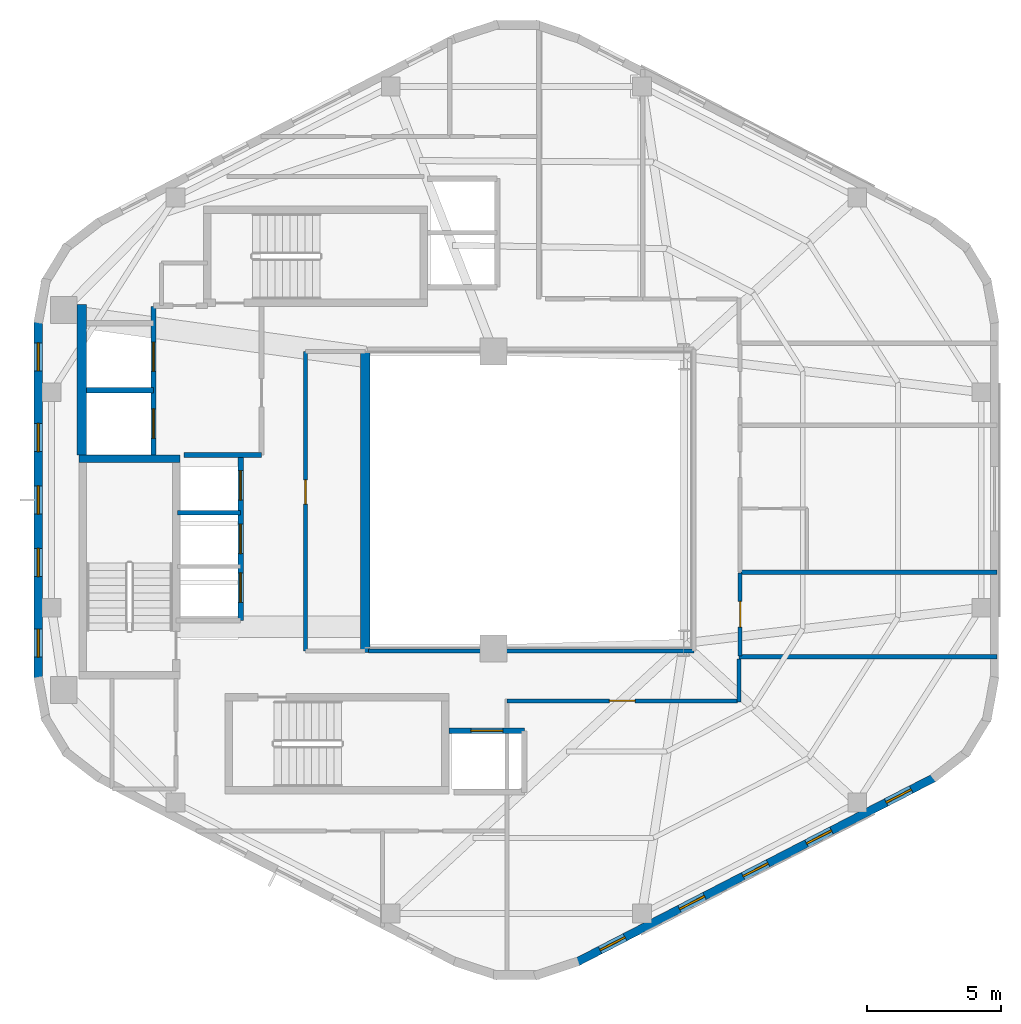
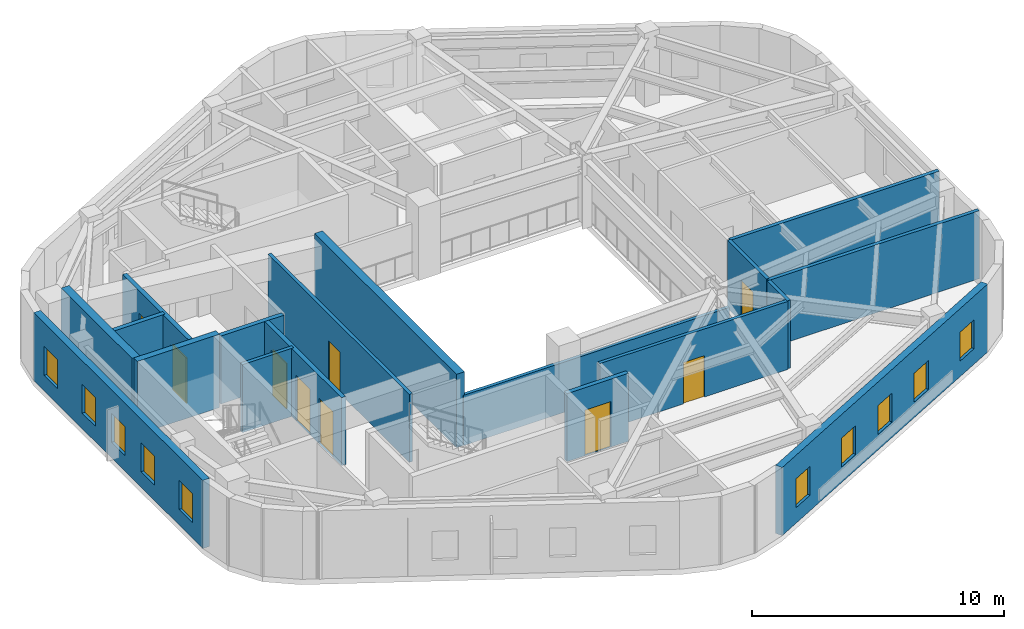
# One storey, part 3 of 7: 18 walls, 10 windows, 9 doors, 19 openings.
"""IFC4 building model written with IfcOpenShell, lengths in metres."""

import ifcopenshell
import ifcopenshell.guid

model = None  # the IFC model being written
_history = None  # IfcOwnerHistory: only IFC2X3 demands one
_inside = {}  # id of a spatial element -> (the spatial element, [elements in it])
_under = {}  # id of a project, library or spatial element -> (it, [spatial elements below it])
_declared = {}  # id of a project -> (the project, [libraries it declares])
_typed = {}  # id of a type object -> (the type object, [elements of that type])
_made_of = {}  # id of a material, layer set ... -> (it, [elements and type objects made of it])


def new_model(schema):
    """Start an empty IFC model of exactly this schema.

    Asked for "IFC4X3", IfcOpenShell would pick the latest addendum, in which some entities
    have other attributes; the version numbers below select the first issue.
    IFC2X3 requires an IfcOwnerHistory on every rooted entity: one is made here for all.
    """
    global model, _history
    if schema == "IFC4X3":
        model = ifcopenshell.file(schema_version=(4, 3, 0, 0))
    else:
        model = ifcopenshell.file(schema=schema)
    _inside.clear()
    _under.clear()
    _declared.clear()
    _typed.clear()
    _made_of.clear()
    _history = None
    if model.schema == "IFC2X3":
        org = make("IfcOrganization", Name="unknown")
        user = make(
            "IfcPersonAndOrganization",
            ThePerson=make("IfcPerson", FamilyName="unknown"),
            TheOrganization=org,
        )
        app = make(
            "IfcApplication",
            ApplicationDeveloper=org,
            Version="unknown",
            ApplicationFullName="unknown",
            ApplicationIdentifier="unknown",
        )
        _history = make(
            "IfcOwnerHistory",
            OwningUser=user,
            OwningApplication=app,
            ChangeAction="ADDED",
            CreationDate=0,
        )
    return model


def make(cls, **values):
    """One entity of the class cls with the attributes given. An attribute that is None is left unset."""
    return model.create_entity(
        cls, **{name: value for name, value in values.items() if value is not None}
    )


def rooted(cls, **values):
    """An entity with a GlobalId (a new one), such as an element, a storey or a relation."""
    return make(cls, GlobalId=ifcopenshell.guid.new(), OwnerHistory=_history, **values)


def si_unit(unit_type, name, prefix=None):
    """IfcSIUnit, for example si_unit("LENGTHUNIT", "METRE", prefix="MILLI")."""
    return make("IfcSIUnit", UnitType=unit_type, Prefix=prefix, Name=name)


def assignment(units):
    """IfcUnitAssignment: the units of a project."""
    return None if units is None else make("IfcUnitAssignment", Units=units)


def point(xyz):
    """IfcCartesianPoint."""
    return None if xyz is None else make("IfcCartesianPoint", Coordinates=xyz)


def direction(xyz):
    """IfcDirection."""
    return None if xyz is None else make("IfcDirection", DirectionRatios=xyz)


def frame(location, z_axis=None, x_axis=None):
    """IfcAxis2Placement3D, a coordinate frame: its origin and axes. An axis left out is left unset."""
    return make(
        "IfcAxis2Placement3D",
        Location=point(location),
        Axis=direction(z_axis),
        RefDirection=direction(x_axis),
    )


def frame_2d(location, x_axis=None):
    """IfcAxis2Placement2D, a coordinate frame in the plane: its origin and x axis."""
    return make(
        "IfcAxis2Placement2D", Location=point(location), RefDirection=direction(x_axis)
    )


def origin():
    """The frame at (0, 0, 0) with its axes left unset."""
    return frame((0.0, 0.0, 0.0))


def place(relative_to, where):
    """IfcLocalPlacement: puts the frame where relative to a parent placement (None: the world)."""
    return make(
        "IfcLocalPlacement", PlacementRelTo=relative_to, RelativePlacement=where
    )


def context(
    kind, dimensions, precision=None, world=None, true_north=None, identifier=None
):
    """IfcGeometricRepresentationContext, for example the 3D "Model" context."""
    return make(
        "IfcGeometricRepresentationContext",
        ContextIdentifier=identifier,
        ContextType=kind,
        CoordinateSpaceDimension=dimensions,
        Precision=precision,
        WorldCoordinateSystem=world,
        TrueNorth=true_north,
    )


def subcontext(parent, identifier, kind, view, scale=None):
    """IfcGeometricRepresentationSubContext, for example "Body" below "Model"."""
    return make(
        "IfcGeometricRepresentationSubContext",
        ContextIdentifier=identifier,
        ContextType=kind,
        ParentContext=parent,
        TargetScale=scale,
        TargetView=view,
    )


def project(units=None, contexts=None):
    """IfcProject with its units and contexts."""
    return rooted(
        "IfcProject",
        Name="project",
        RepresentationContexts=contexts,
        UnitsInContext=assignment(units),
    )


def spatial(cls, under=None, at=None, **own):
    """A site, building, storey or space (cls), placed at a placement, below another one or the project."""
    s = rooted(cls, ObjectPlacement=at, **own)
    if under is not None:
        _under.setdefault(under.id(), (under, []))[1].append(s)
    return s


def profile(cls, at=None, kind="AREA", **sizes):
    """A parametric profile (cls). Its sizes go by their IFC names, for example OverallWidth=200.0."""
    return make(cls, ProfileType=kind, Position=at, **sizes)


def rectangle(**sizes):
    """IfcRectangleProfileDef."""
    return profile("IfcRectangleProfileDef", **sizes)


def extrude(swept, where, along, depth):
    """IfcExtrudedAreaSolid: the profile swept, set in the frame where, extruded along a direction by depth."""
    return make(
        "IfcExtrudedAreaSolid",
        SweptArea=swept,
        Position=where,
        ExtrudedDirection=direction(along),
        Depth=depth,
    )


def shape(context_of_items, identifier, shape_type, items):
    """IfcShapeRepresentation: the items that make up one representation, for example the "Body"."""
    return make(
        "IfcShapeRepresentation",
        ContextOfItems=context_of_items,
        RepresentationIdentifier=identifier,
        RepresentationType=shape_type,
        Items=items,
    )


def material(Name=None, Category=None):
    """IfcMaterial."""
    return make("IfcMaterial", Name=Name, Category=Category)


def layer(
    of_material, thickness, ventilated=None, Name=None, Category=None, Priority=None
):
    """IfcMaterialLayer: one layer of a wall or slab, of a material (None: an air gap)."""
    return make(
        "IfcMaterialLayer",
        Material=of_material,
        LayerThickness=thickness,
        IsVentilated=ventilated,
        Name=Name,
        Category=Category,
        Priority=Priority,
    )


def layer_set(layers, Name=None):
    """IfcMaterialLayerSet."""
    return make("IfcMaterialLayerSet", MaterialLayers=layers, LayerSetName=Name)


def made_of(thing, what):
    """Note that an element or type object is made of a material, layer set ...; save() writes the relation."""
    if what is not None:
        _made_of.setdefault(what.id(), (what, []))[1].append(thing)
    return thing


def type_object(cls, material=None, **own):
    """A type object (cls), such as IfcWallType, which elements share."""
    return made_of(rooted(cls, **own), material)


def element(
    cls,
    number,
    at=None,
    inside=None,
    cuts=None,
    type_object=None,
    material=None,
    context=None,
    identifier="Body",
    shape_type=None,
    held_by="IfcProductDefinitionShape",
    body=None,
    shapes=None,
    **own,
):
    """One element of the class cls, such as IfcWall. Its Tag is "e" and its number.

    at: its placement. inside: the storey or other place that contains it. cuts: it is an
    opening in that element (IfcRelVoidsElement). A single representation is given by context,
    identifier, shape_type and body (its items); several are given by shapes. held_by: the class
    of the entity that holds the representations. save() writes the other relations.
    """
    e = rooted(cls, Tag="e%d" % number, ObjectPlacement=at, **own)
    if body is not None:
        shapes = [shape(context, identifier, shape_type, body)]
    if shapes is not None:
        e.Representation = make(held_by, Representations=shapes)
    if inside is not None:
        _inside.setdefault(inside.id(), (inside, []))[1].append(e)
    if cuts is not None:
        rooted(
            "IfcRelVoidsElement", RelatingBuildingElement=cuts, RelatedOpeningElement=e
        )
    if type_object is not None:
        _typed.setdefault(type_object.id(), (type_object, []))[1].append(e)
    return made_of(e, material)


def fill(opening, filler):
    """IfcRelFillsElement: the door or window that sits in an opening."""
    return rooted(
        "IfcRelFillsElement",
        RelatingOpeningElement=opening,
        RelatedBuildingElement=filler,
    )


def aggregate(whole, parts):
    """IfcRelAggregates: a whole, such as a stair, and the parts it consists of."""
    return rooted("IfcRelAggregates", RelatingObject=whole, RelatedObjects=parts)


def save(model, path):
    """Write the relations noted so far, then the file.

    IfcRelAggregates (storeys below a building ...), IfcRelContainedInSpatialStructure (elements
    in a storey), IfcRelDefinesByType, IfcRelAssociatesMaterial and IfcRelDeclares: one each for
    every whole, place, type object, material and project.
    """
    for whole, parts in _under.values():
        aggregate(whole, parts)
    for where, things in _inside.values():
        rooted(
            "IfcRelContainedInSpatialStructure",
            RelatedElements=things,
            RelatingStructure=where,
        )
    for kind, things in _typed.values():
        rooted("IfcRelDefinesByType", RelatedObjects=things, RelatingType=kind)
    for what, things in _made_of.values():
        rooted("IfcRelAssociatesMaterial", RelatedObjects=things, RelatingMaterial=what)
    for by, libraries in _declared.values():
        rooted("IfcRelDeclares", RelatingContext=by, RelatedDefinitions=libraries)
    model.write(path)


model = new_model("IFC4")

# Units and contexts
model_context = context("Model", 3, precision=1e-05, world=origin(), true_north=direction((0.0, 1.0)))
body_context = subcontext(model_context, "Body", "Model", "MODEL_VIEW")
ifc_project = project(units=[si_unit("LENGTHUNIT", "METRE"), si_unit("AREAUNIT", "SQUARE_METRE"), si_unit("VOLUMEUNIT", "CUBIC_METRE"), si_unit("PLANEANGLEUNIT", "RADIAN"), si_unit("MASSUNIT", "GRAM", prefix="KILO"), si_unit("THERMODYNAMICTEMPERATUREUNIT", "KELVIN"), si_unit("POWERUNIT", "WATT")], contexts=[model_context])

# Site, building, storey
site_placement = place(None, origin())
site = spatial("IfcSite", under=ifc_project, at=site_placement, CompositionType="ELEMENT")
building_placement = place(site_placement, origin())
building = spatial("IfcBuilding", under=site, at=building_placement, Name="Skarre Station Tower", CompositionType="ELEMENT")
storey_placement = place(building_placement, frame((0.0, 0.0, 263.199951171875)))
storey = spatial("IfcBuildingStorey", under=building, at=storey_placement, Name="L72", CompositionType="ELEMENT", Elevation=263.199951171875)

# Wall, opening, door
ifc_material_1 = material(Name="Acoustic Steel-Stud Gypsum Partition", Category="steel")
ifc_layer_1 = layer(ifc_material_1, 0.14990234375, Name="Acoustic Steel-Stud Gypsum Partition")
ifc_layer_set_1 = layer_set([ifc_layer_1], Name="Acoustic Steel-Stud Gypsum Partition")
wall_type_1 = type_object("IfcWallType", Name="Fire-Rated Corridor Acoustic Partition 150", PredefinedType="PARTITIONING", material=ifc_layer_set_1)
wall_1_placement = place(storey_placement, frame((25.320068359375, 29.550048828125, 0.0), z_axis=(0.0, 0.0, 1.0), x_axis=(0.0, -1.0, 0.0)))
wall_1 = element("IfcWall", 1, at=wall_1_placement, inside=storey, type_object=wall_type_1, Name="L72 Interior Partition WL-PT-L72-RC2-W1", PredefinedType="PARTITIONING", context=body_context, shape_type="SweptSolid", body=[
    extrude(rectangle(XDim=11.18994140625, YDim=0.14990234375, at=frame_2d((5.594970703125, 0.0))), origin(), (0.0, 0.0, 1.0), 3.2900390625),
])
opening_1_placement = place(wall_1_placement, frame((4.800048828125, 0.0, 0.0)))
opening_1 = element("IfcOpeningElement", 2, at=opening_1_placement, cuts=wall_1, Name="Opening DR-SVC90", PredefinedType="OPENING", context=body_context, shape_type="SweptSolid", body=[
    extrude(rectangle(XDim=0.89990234375, YDim=2.0, at=frame_2d((0.449951171875, 1.0))), frame((0.0, 0.0849609375, 0.0), z_axis=(0.0, -1.0, 0.0), x_axis=(1.0, 0.0, 0.0)), (0.0, 0.0, 1.0), 0.169921875),
])
ifc_material_2 = material(Name="Powder-Coated Hollow-Metal Acoustic Fire Leaf", Category="steel")
door_type_1 = type_object("IfcDoorType", Name="Service & Riser Fire Door FD60 900x2100", OperationType="SINGLE_SWING_LEFT", PredefinedType="DOOR", material=ifc_material_2)
door_1_placement = place(opening_1_placement, origin())
door_1 = element("IfcDoor", 3, at=door_1_placement, inside=storey, type_object=door_type_1, Name="L72 Wine Pantry Door", OperationType="SINGLE_SWING_LEFT", OverallHeight=2.0, OverallWidth=0.89990234375, PredefinedType="DOOR", context=body_context, shape_type="SweptSolid", body=[
    extrude(rectangle(XDim=0.89990234375, YDim=2.0, at=frame_2d((0.449951171875, 1.0))), frame((0.0, 0.02490234375, 0.0), z_axis=(0.0, -1.0, 0.0), x_axis=(1.0, 0.0, 0.0)), (0.0, 0.0, 1.0), 0.050048828125),
])
fill(opening_1, door_1)

# Wall
wall_2_placement = place(storey_placement, frame((27.675048828125, 18.360107421875, 0.0), z_axis=(0.0, 0.0, 1.0), x_axis=(1.0, 0.0, 0.0)))
element("IfcWall", 4, at=wall_2_placement, inside=storey, type_object=wall_type_1, Name="L72 Interior Partition WL-PT-L72-ATRW-S", PredefinedType="PARTITIONING", context=body_context, shape_type="SweptSolid", body=[
    extrude(rectangle(XDim=12.1650390625, YDim=0.14990234375, at=frame_2d((6.08251953125, 0.0))), origin(), (0.0, 0.0, 1.0), 2.43115234375),
])

# Wall, opening, door
wall_3_placement = place(storey_placement, frame((41.56005859375, 18.179931640625, 0.0), z_axis=(0.0, 0.0, 1.0), x_axis=(0.0, 1.0, 0.0)))
wall_3 = element("IfcWall", 5, at=wall_3_placement, inside=storey, type_object=wall_type_1, Name="L72 Interior Partition WL-PT-L72-EW1-CW", PredefinedType="PARTITIONING", context=body_context, shape_type="SweptSolid", body=[
    extrude(rectangle(XDim=3.10205078125, YDim=0.14990234375, at=frame_2d((1.551025390625, 0.0))), origin(), (0.0, 0.0, 1.0), 3.2900390625),
])
opening_2_placement = place(wall_3_placement, frame((1.071044921875, 0.0, 0.0)))
opening_2 = element("IfcOpeningElement", 6, at=opening_2_placement, cuts=wall_3, Name="Opening DR-FD60", PredefinedType="OPENING", context=body_context, shape_type="SweptSolid", body=[
    extrude(rectangle(XDim=0.9599609375, YDim=2.0, at=frame_2d((0.47998046875, 1.0))), frame((0.0, 0.0849609375, 0.0), z_axis=(0.0, -1.0, 0.0), x_axis=(1.0, 0.0, 0.0)), (0.0, 0.0, 1.0), 0.169921875),
])
ifc_material_3 = material(Name="Nordic White-Oak Veneer Solid-Core Fire Leaf", Category="wood")
door_type_2 = type_object("IfcDoorType", Name="Corridor Suite Entry Fire Door FD60 960x2150", OperationType="SINGLE_SWING_LEFT", PredefinedType="DOOR", material=ifc_material_3)
door_2_placement = place(opening_2_placement, origin())
door_2 = element("IfcDoor", 7, at=door_2_placement, inside=storey, type_object=door_type_2, Name="L72 EW1 Entry Door", OperationType="SINGLE_SWING_LEFT", OverallHeight=2.0, OverallWidth=0.9599609375, PredefinedType="DOOR", context=body_context, shape_type="SweptSolid", body=[
    extrude(rectangle(XDim=0.9599609375, YDim=2.0, at=frame_2d((0.47998046875, 1.0))), frame((0.0, 0.02490234375, 0.0), z_axis=(0.0, -1.0, 0.0), x_axis=(1.0, 0.0, 0.0)), (0.0, 0.0, 1.0), 0.050048828125),
])
fill(opening_2, door_2)

# Wall
wall_4_placement = place(storey_placement, frame((41.52001953125, 16.4599609375, 0.0), z_axis=(0.0, 0.0, 1.0), x_axis=(0.0, 1.0, 0.0)))
element("IfcWall", 8, at=wall_4_placement, inside=storey, type_object=wall_type_1, Name="L72 Interior Partition WL-PT-L72-CORR-SER", PredefinedType="PARTITIONING", context=body_context, shape_type="SweptSolid", body=[
    extrude(rectangle(XDim=1.60205078125, YDim=0.14990234375, at=frame_2d((0.801025390625, 0.0))), origin(), (0.0, 0.0, 1.0), 3.2900390625),
])

# Wall, opening, door
wall_5_placement = place(storey_placement, frame((32.85009765625, 16.5, 0.0), z_axis=(0.0, 0.0, 1.0), x_axis=(1.0, 0.0, 0.0)))
wall_5 = element("IfcWall", 9, at=wall_5_placement, inside=storey, type_object=wall_type_1, Name="L72 Interior Partition WL-PT-L72-SW1-CW", PredefinedType="PARTITIONING", context=body_context, shape_type="SweptSolid", body=[
    extrude(rectangle(XDim=8.60986328125, YDim=0.14990234375, at=frame_2d((4.304931640625, 0.0))), origin(), (0.0, 0.0, 1.0), 3.2900390625),
])
opening_3_placement = place(wall_5_placement, frame((3.824951171875, 0.0, 0.0)))
opening_3 = element("IfcOpeningElement", 10, at=opening_3_placement, cuts=wall_5, Name="Opening DR-FD60", PredefinedType="OPENING", context=body_context, shape_type="SweptSolid", body=[
    extrude(rectangle(XDim=0.9599609375, YDim=2.0, at=frame_2d((0.47998046875, 1.0))), frame((0.0, 0.0849609375, 0.0), z_axis=(0.0, -1.0, 0.0), x_axis=(1.0, 0.0, 0.0)), (0.0, 0.0, 1.0), 0.169921875),
])
door_3_placement = place(opening_3_placement, origin())
door_3 = element("IfcDoor", 11, at=door_3_placement, inside=storey, type_object=door_type_2, Name="L72 SW1 Entry Door", OperationType="SINGLE_SWING_LEFT", OverallHeight=2.0, OverallWidth=0.9599609375, PredefinedType="DOOR", context=body_context, shape_type="SweptSolid", body=[
    extrude(rectangle(XDim=0.9599609375, YDim=2.0, at=frame_2d((0.47998046875, 1.0))), frame((0.0, 0.02490234375, 0.0), z_axis=(0.0, -1.0, 0.0), x_axis=(1.0, 0.0, 0.0)), (0.0, 0.0, 1.0), 0.050048828125),
])
fill(opening_3, door_3)

# Wall, openings, windows
ifc_material_4 = material(Name="Precast concrete C45/55", Category="concrete")
ifc_layer_2 = layer(ifc_material_4, 0.31005859375, Name="Precast concrete C45/55")
ifc_layer_set_2 = layer_set([ifc_layer_2], Name="Precast concrete C45/55")
wall_type_2 = type_object("IfcWallType", Name="Nordic Upper-Zone Precast Facet Wall 310", PredefinedType="STANDARD", material=ifc_layer_set_2)
wall_6_placement = place(storey_placement, frame((15.342041015625, 17.298095703125, 0.0), z_axis=(0.0, 0.0, 1.0), x_axis=(0.0, 1.0, 0.0)))
wall_6 = element("IfcWall", 12, at=wall_6_placement, inside=storey, type_object=wall_type_2, Name="L72 Facet 2 Nordic Precast Masonry Wall", PredefinedType="STANDARD", context=body_context, shape_type="SweptSolid", body=[
    extrude(rectangle(XDim=13.40380859375, YDim=0.31005859375, at=frame_2d((6.701904296875, 0.0))), origin(), (0.0, 0.0, 1.0), 3.2900390625),
])
opening_4_placement = place(wall_6_placement, frame((0.8310546875, 0.0, 0.75)))
opening_4 = element("IfcOpeningElement", 13, at=opening_4_placement, cuts=wall_6, Name="Opening WN-SLT", PredefinedType="OPENING", context=body_context, shape_type="SweptSolid", body=[
    extrude(rectangle(XDim=1.050048828125, YDim=1.39990234375, at=frame_2d((0.52490234375, 0.699951171875))), frame((0.0, 0.1650390625, 0.0), z_axis=(0.0, -1.0, 0.0), x_axis=(1.0, 0.0, 0.0)), (0.0, 0.0, 1.0), 0.330078125),
])
opening_5_placement = place(wall_6_placement, frame((3.843017578125, 0.0, 0.75)))
opening_5 = element("IfcOpeningElement", 14, at=opening_5_placement, cuts=wall_6, Name="Opening WN-SLT", PredefinedType="OPENING", context=body_context, shape_type="SweptSolid", body=[
    extrude(rectangle(XDim=1.050048828125, YDim=1.39990234375, at=frame_2d((0.52490234375, 0.699951171875))), frame((0.0, 0.1650390625, 0.0), z_axis=(0.0, -1.0, 0.0), x_axis=(1.0, 0.0, 0.0)), (0.0, 0.0, 1.0), 0.330078125),
])
opening_6_placement = place(wall_6_placement, frame((6.177001953125, 0.0, 0.75)))
opening_6 = element("IfcOpeningElement", 15, at=opening_6_placement, cuts=wall_6, Name="Opening WN-SLT", PredefinedType="OPENING", context=body_context, shape_type="SweptSolid", body=[
    extrude(rectangle(XDim=1.050048828125, YDim=1.39990234375, at=frame_2d((0.52490234375, 0.699951171875))), frame((0.0, 0.1650390625, 0.0), z_axis=(0.0, -1.0, 0.0), x_axis=(1.0, 0.0, 0.0)), (0.0, 0.0, 1.0), 0.330078125),
])
opening_7_placement = place(wall_6_placement, frame((8.510986328125, 0.0, 0.75)))
opening_7 = element("IfcOpeningElement", 16, at=opening_7_placement, cuts=wall_6, Name="Opening WN-SLT", PredefinedType="OPENING", context=body_context, shape_type="SweptSolid", body=[
    extrude(rectangle(XDim=1.050048828125, YDim=1.39990234375, at=frame_2d((0.52490234375, 0.699951171875))), frame((0.0, 0.1650390625, 0.0), z_axis=(0.0, -1.0, 0.0), x_axis=(1.0, 0.0, 0.0)), (0.0, 0.0, 1.0), 0.330078125),
])
opening_8_placement = place(wall_6_placement, frame((11.52392578125, 0.0, 0.75)))
opening_8 = element("IfcOpeningElement", 17, at=opening_8_placement, cuts=wall_6, Name="Opening WN-SLT", PredefinedType="OPENING", context=body_context, shape_type="SweptSolid", body=[
    extrude(rectangle(XDim=1.050048828125, YDim=1.39990234375, at=frame_2d((0.52490234375, 0.699951171875))), frame((0.0, 0.1650390625, 0.0), z_axis=(0.0, -1.0, 0.0), x_axis=(1.0, 0.0, 0.0)), (0.0, 0.0, 1.0), 0.330078125),
])
ifc_material_5 = material(Name="Low-Iron Triple Glazing with Bronze Anodized Frame", Category="glass")
window_type = type_object("IfcWindowType", Name="Nordic Corner Slot Window 1050x1400", PartitioningType="SINGLE_PANEL", PredefinedType="WINDOW", material=ifc_material_5)
window_1_placement = place(opening_4_placement, origin())
window_1 = element("IfcWindow", 18, at=window_1_placement, inside=storey, type_object=window_type, Name="L72 Facade Window WL-FAC-L72-F2-1", OverallHeight=1.39990234375, OverallWidth=1.050048828125, PartitioningType="SINGLE_PANEL", PredefinedType="WINDOW", context=body_context, shape_type="SweptSolid", body=[
    extrude(rectangle(XDim=1.050048828125, YDim=1.39990234375, at=frame_2d((0.52490234375, 0.699951171875))), frame((0.0, 0.030029296875, 0.0), z_axis=(0.0, -1.0, 0.0), x_axis=(1.0, 0.0, 0.0)), (0.0, 0.0, 1.0), 0.06005859375),
])
fill(opening_4, window_1)
window_2_placement = place(opening_5_placement, origin())
window_2 = element("IfcWindow", 19, at=window_2_placement, inside=storey, type_object=window_type, Name="L72 Facade Window WL-FAC-L72-F2-2", OverallHeight=1.39990234375, OverallWidth=1.050048828125, PartitioningType="SINGLE_PANEL", PredefinedType="WINDOW", context=body_context, shape_type="SweptSolid", body=[
    extrude(rectangle(XDim=1.050048828125, YDim=1.39990234375, at=frame_2d((0.52490234375, 0.699951171875))), frame((0.0, 0.030029296875, 0.0), z_axis=(0.0, -1.0, 0.0), x_axis=(1.0, 0.0, 0.0)), (0.0, 0.0, 1.0), 0.06005859375),
])
fill(opening_5, window_2)
window_3_placement = place(opening_6_placement, origin())
window_3 = element("IfcWindow", 20, at=window_3_placement, inside=storey, type_object=window_type, Name="L72 Facade Window WL-FAC-L72-F2-3", OverallHeight=1.39990234375, OverallWidth=1.050048828125, PartitioningType="SINGLE_PANEL", PredefinedType="WINDOW", context=body_context, shape_type="SweptSolid", body=[
    extrude(rectangle(XDim=1.050048828125, YDim=1.39990234375, at=frame_2d((0.52490234375, 0.699951171875))), frame((0.0, 0.030029296875, 0.0), z_axis=(0.0, -1.0, 0.0), x_axis=(1.0, 0.0, 0.0)), (0.0, 0.0, 1.0), 0.06005859375),
])
fill(opening_6, window_3)
window_4_placement = place(opening_7_placement, origin())
window_4 = element("IfcWindow", 21, at=window_4_placement, inside=storey, type_object=window_type, Name="L72 Facade Window WL-FAC-L72-F2-4", OverallHeight=1.39990234375, OverallWidth=1.050048828125, PartitioningType="SINGLE_PANEL", PredefinedType="WINDOW", context=body_context, shape_type="SweptSolid", body=[
    extrude(rectangle(XDim=1.050048828125, YDim=1.39990234375, at=frame_2d((0.52490234375, 0.699951171875))), frame((0.0, 0.030029296875, 0.0), z_axis=(0.0, -1.0, 0.0), x_axis=(1.0, 0.0, 0.0)), (0.0, 0.0, 1.0), 0.06005859375),
])
fill(opening_7, window_4)
window_5_placement = place(opening_8_placement, origin())
window_5 = element("IfcWindow", 22, at=window_5_placement, inside=storey, type_object=window_type, Name="L72 Facade Window WL-FAC-L72-F2-5", OverallHeight=1.39990234375, OverallWidth=1.050048828125, PartitioningType="SINGLE_PANEL", PredefinedType="WINDOW", context=body_context, shape_type="SweptSolid", body=[
    extrude(rectangle(XDim=1.050048828125, YDim=1.39990234375, at=frame_2d((0.52490234375, 0.699951171875))), frame((0.0, 0.030029296875, 0.0), z_axis=(0.0, -1.0, 0.0), x_axis=(1.0, 0.0, 0.0)), (0.0, 0.0, 1.0), 0.06005859375),
])
fill(opening_8, window_5)

wall_7_placement = place(storey_placement, frame((48.833984375, 13.64599609375, 0.0), z_axis=(0.0, 0.0, 1.0), x_axis=(-0.888581481622, -0.458718814218, 0.0)))
wall_7 = element("IfcWall", 23, at=wall_7_placement, inside=storey, type_object=wall_type_2, Name="L72 Facet 4 Nordic Precast Masonry Wall", PredefinedType="STANDARD", context=body_context, shape_type="SweptSolid", body=[
    extrude(rectangle(XDim=15.076904296875, YDim=0.31005859375, at=frame_2d((7.53857421875, 0.0))), origin(), (0.0, 0.0, 1.0), 3.2900390625),
])
opening_9_placement = place(wall_7_placement, frame((0.998046875, 0.0, 0.75)))
opening_9 = element("IfcOpeningElement", 24, at=opening_9_placement, cuts=wall_7, Name="Opening WN-SLT", PredefinedType="OPENING", context=body_context, shape_type="SweptSolid", body=[
    extrude(rectangle(XDim=1.050048828125, YDim=1.39990234375, at=frame_2d((0.52490234375, 0.699951171875))), frame((0.0, 0.1650390625, 0.0), z_axis=(0.0, -1.0, 0.0), x_axis=(1.0, 0.0, 0.0)), (0.0, 0.0, 1.0), 0.330078125),
])
opening_10_placement = place(wall_7_placement, frame((4.344970703125, 0.0, 0.75)))
opening_10 = element("IfcOpeningElement", 25, at=opening_10_placement, cuts=wall_7, Name="Opening WN-SLT", PredefinedType="OPENING", context=body_context, shape_type="SweptSolid", body=[
    extrude(rectangle(XDim=1.050048828125, YDim=1.39990234375, at=frame_2d((0.52490234375, 0.699951171875))), frame((0.0, 0.1650390625, 0.0), z_axis=(0.0, -1.0, 0.0), x_axis=(1.0, 0.0, 0.0)), (0.0, 0.0, 1.0), 0.330078125),
])
opening_11_placement = place(wall_7_placement, frame((7.013916015625, 0.0, 0.75)))
opening_11 = element("IfcOpeningElement", 26, at=opening_11_placement, cuts=wall_7, Name="Opening WN-SLT", PredefinedType="OPENING", context=body_context, shape_type="SweptSolid", body=[
    extrude(rectangle(XDim=1.050048828125, YDim=1.39990234375, at=frame_2d((0.52490234375, 0.699951171875))), frame((0.0, 0.1650390625, 0.0), z_axis=(0.0, -1.0, 0.0), x_axis=(1.0, 0.0, 0.0)), (0.0, 0.0, 1.0), 0.330078125),
])
opening_12_placement = place(wall_7_placement, frame((9.68310546875, 0.0, 0.75)))
opening_12 = element("IfcOpeningElement", 27, at=opening_12_placement, cuts=wall_7, Name="Opening WN-SLT", PredefinedType="OPENING", context=body_context, shape_type="SweptSolid", body=[
    extrude(rectangle(XDim=1.050048828125, YDim=1.39990234375, at=frame_2d((0.52490234375, 0.699951171875))), frame((0.0, 0.1650390625, 0.0), z_axis=(0.0, -1.0, 0.0), x_axis=(1.0, 0.0, 0.0)), (0.0, 0.0, 1.0), 0.330078125),
])
opening_13_placement = place(wall_7_placement, frame((13.029052734375, 0.0, 0.75)))
opening_13 = element("IfcOpeningElement", 28, at=opening_13_placement, cuts=wall_7, Name="Opening WN-SLT", PredefinedType="OPENING", context=body_context, shape_type="SweptSolid", body=[
    extrude(rectangle(XDim=1.050048828125, YDim=1.39990234375, at=frame_2d((0.52490234375, 0.699951171875))), frame((0.0, 0.1650390625, 0.0), z_axis=(0.0, -1.0, 0.0), x_axis=(1.0, 0.0, 0.0)), (0.0, 0.0, 1.0), 0.330078125),
])
window_6_placement = place(opening_9_placement, origin())
window_6 = element("IfcWindow", 29, at=window_6_placement, inside=storey, type_object=window_type, Name="L72 Facade Window WL-FAC-L72-F4-1", OverallHeight=1.39990234375, OverallWidth=1.050048828125, PartitioningType="SINGLE_PANEL", PredefinedType="WINDOW", context=body_context, shape_type="SweptSolid", body=[
    extrude(rectangle(XDim=1.050048828125, YDim=1.39990234375, at=frame_2d((0.52490234375, 0.699951171875))), frame((0.0, 0.030029296875, 0.0), z_axis=(0.0, -1.0, 0.0), x_axis=(1.0, 0.0, 0.0)), (0.0, 0.0, 1.0), 0.06005859375),
])
fill(opening_9, window_6)
window_7_placement = place(opening_10_placement, origin())
window_7 = element("IfcWindow", 30, at=window_7_placement, inside=storey, type_object=window_type, Name="L72 Facade Window WL-FAC-L72-F4-2", OverallHeight=1.39990234375, OverallWidth=1.050048828125, PartitioningType="SINGLE_PANEL", PredefinedType="WINDOW", context=body_context, shape_type="SweptSolid", body=[
    extrude(rectangle(XDim=1.050048828125, YDim=1.39990234375, at=frame_2d((0.52490234375, 0.699951171875))), frame((0.0, 0.030029296875, 0.0), z_axis=(0.0, -1.0, 0.0), x_axis=(1.0, 0.0, 0.0)), (0.0, 0.0, 1.0), 0.06005859375),
])
fill(opening_10, window_7)
window_8_placement = place(opening_11_placement, origin())
window_8 = element("IfcWindow", 31, at=window_8_placement, inside=storey, type_object=window_type, Name="L72 Facade Window WL-FAC-L72-F4-3", OverallHeight=1.39990234375, OverallWidth=1.050048828125, PartitioningType="SINGLE_PANEL", PredefinedType="WINDOW", context=body_context, shape_type="SweptSolid", body=[
    extrude(rectangle(XDim=1.050048828125, YDim=1.39990234375, at=frame_2d((0.52490234375, 0.699951171875))), frame((0.0, 0.030029296875, 0.0), z_axis=(0.0, -1.0, 0.0), x_axis=(1.0, 0.0, 0.0)), (0.0, 0.0, 1.0), 0.06005859375),
])
fill(opening_11, window_8)
window_9_placement = place(opening_12_placement, origin())
window_9 = element("IfcWindow", 32, at=window_9_placement, inside=storey, type_object=window_type, Name="L72 Facade Window WL-FAC-L72-F4-4", OverallHeight=1.39990234375, OverallWidth=1.050048828125, PartitioningType="SINGLE_PANEL", PredefinedType="WINDOW", context=body_context, shape_type="SweptSolid", body=[
    extrude(rectangle(XDim=1.050048828125, YDim=1.39990234375, at=frame_2d((0.52490234375, 0.699951171875))), frame((0.0, 0.030029296875, 0.0), z_axis=(0.0, -1.0, 0.0), x_axis=(1.0, 0.0, 0.0)), (0.0, 0.0, 1.0), 0.06005859375),
])
fill(opening_12, window_9)
window_10_placement = place(opening_13_placement, origin())
window_10 = element("IfcWindow", 33, at=window_10_placement, inside=storey, type_object=window_type, Name="L72 Facade Window WL-FAC-L72-F4-5", OverallHeight=1.39990234375, OverallWidth=1.050048828125, PartitioningType="SINGLE_PANEL", PredefinedType="WINDOW", context=body_context, shape_type="SweptSolid", body=[
    extrude(rectangle(XDim=1.050048828125, YDim=1.39990234375, at=frame_2d((0.52490234375, 0.699951171875))), frame((0.0, 0.030029296875, 0.0), z_axis=(0.0, -1.0, 0.0), x_axis=(1.0, 0.0, 0.0)), (0.0, 0.0, 1.0), 0.06005859375),
])
fill(opening_13, window_10)

# Walls
ifc_material_6 = material(Name="Concrete C50/60", Category="concrete")
ifc_layer_3 = layer(ifc_material_6, 0.280029296875, Name="Concrete C50/60")
ifc_layer_set_3 = layer_set([ifc_layer_3], Name="Concrete C50/60")
wall_type_3 = type_object("IfcWallType", Name="RC Core Shear Wall 280", PredefinedType="SHEAR", material=ifc_layer_set_3)
wall_8_placement = place(storey_placement, frame((20.6298828125, 25.5400390625, 0.0), z_axis=(0.0, 0.0, 1.0), x_axis=(-1.0, 0.0, 0.0)))
element("IfcWall", 34, at=wall_8_placement, inside=storey, type_object=wall_type_3, Name="L72 Stair ST-1 North Shear Wall", PredefinedType="SHEAR", context=body_context, shape_type="SweptSolid", body=[
    extrude(rectangle(XDim=3.759765625, YDim=0.280029296875, at=frame_2d((1.8798828125, 0.0))), origin(), (0.0, 0.0, 1.0), 3.550048828125),
])
ifc_layer_4 = layer(ifc_material_6, 0.360107421875, Name="Concrete C50/60")
ifc_layer_set_4 = layer_set([ifc_layer_4], Name="Concrete C50/60")
wall_type_4 = type_object("IfcWallType", Name="RC Core Shear Wall 360", PredefinedType="SHEAR", material=ifc_layer_set_4)
wall_9_placement = place(storey_placement, frame((16.969970703125, 25.679931640625, 0.0), z_axis=(0.0, 0.0, 1.0), x_axis=(0.0, 1.0, 0.0)))
element("IfcWall", 35, at=wall_9_placement, inside=storey, type_object=wall_type_4, Name="L72 Core West-North Shear Wall", PredefinedType="SHEAR", context=body_context, shape_type="SweptSolid", body=[
    extrude(rectangle(XDim=5.6201171875, YDim=0.360107421875, at=frame_2d((2.81005859375, 0.0))), origin(), (0.0, 0.0, 1.0), 3.550048828125),
])
wall_10_placement = place(storey_placement, frame((27.550048828125, 29.550048828125, 0.0), z_axis=(0.0, 0.0, 1.0), x_axis=(0.0, -1.0, 0.0)))
element("IfcWall", 36, at=wall_10_placement, inside=storey, type_object=wall_type_4, Name="L72 Core East Atrium Shear Wall", PredefinedType="SHEAR", context=body_context, shape_type="SweptSolid", body=[
    extrude(rectangle(XDim=11.25, YDim=0.360107421875, at=frame_2d((5.625, 0.0))), origin(), (0.0, 0.0, 1.0), 3.550048828125),
])

# Wall, openings, doors
ifc_material_7 = material(Name="Gypsum Concrete Shaft Assembly C30/37", Category="concrete")
ifc_layer_5 = layer(ifc_material_7, 0.199951171875, Name="Gypsum Concrete Shaft Assembly C30/37")
ifc_layer_set_5 = layer_set([ifc_layer_5], Name="Gypsum Concrete Shaft Assembly C30/37")
wall_type_5 = type_object("IfcWallType", Name="Shaft & Core Fire Partition 200", PredefinedType="PARTITIONING", material=ifc_layer_set_5)
wall_11_placement = place(storey_placement, frame((19.64990234375, 25.679931640625, 0.0), z_axis=(0.0, 0.0, 1.0), x_axis=(0.0, 1.0, 0.0)))
wall_11 = element("IfcWall", 37, at=wall_11_placement, inside=storey, type_object=wall_type_5, Name="L72 Interior Partition WL-PT-L72-FSAE-W", PredefinedType="PARTITIONING", context=body_context, shape_type="SweptSolid", body=[
    extrude(rectangle(XDim=5.5400390625, YDim=0.199951171875, at=frame_2d((2.77001953125, 0.0))), origin(), (0.0, 0.0, 1.0), 3.2900390625),
])
opening_14_placement = place(wall_11_placement, frame((0.6201171875, 0.0, 0.0)))
opening_14 = element("IfcOpeningElement", 38, at=opening_14_placement, cuts=wall_11, Name="Opening LD-FF1", PredefinedType="OPENING", context=body_context, shape_type="SweptSolid", body=[
    extrude(rectangle(XDim=1.10009765625, YDim=2.199951171875, at=frame_2d((0.550048828125, 1.10009765625))), frame((0.0, 0.10986328125, 0.0), z_axis=(0.0, -1.0, 0.0), x_axis=(1.0, 0.0, 0.0)), (0.0, 0.0, 1.0), 0.219970703125),
])
opening_15_placement = place(wall_11_placement, frame((3.1201171875, 0.0, 0.0)))
opening_15 = element("IfcOpeningElement", 39, at=opening_15_placement, cuts=wall_11, Name="Opening LD-FF2", PredefinedType="OPENING", context=body_context, shape_type="SweptSolid", body=[
    extrude(rectangle(XDim=1.10009765625, YDim=2.199951171875, at=frame_2d((0.550048828125, 1.10009765625))), frame((0.0, 0.10986328125, 0.0), z_axis=(0.0, -1.0, 0.0), x_axis=(1.0, 0.0, 0.0)), (0.0, 0.0, 1.0), 0.219970703125),
])
ifc_material_8 = material(Name="Fire-Rated Stainless Steel Grade 316L Sliding Leaves", Category="steel")
door_type_3 = type_object("IfcDoorType", Name="Fire Service Access Elevator Sliding Landing Door 1100x2200", OperationType="SLIDING_TO_LEFT", PredefinedType="DOOR", material=ifc_material_8)
door_4_placement = place(opening_14_placement, origin())
door_4 = element("IfcDoor", 40, at=door_4_placement, inside=storey, type_object=door_type_3, Name="L72 Firefighting Lift LF-FF1 Landing Door", OperationType="SLIDING_TO_LEFT", OverallHeight=2.199951171875, OverallWidth=1.10009765625, PredefinedType="DOOR", context=body_context, shape_type="SweptSolid", body=[
    extrude(rectangle(XDim=1.10009765625, YDim=2.199951171875, at=frame_2d((0.550048828125, 1.10009765625))), frame((0.0, 0.02490234375, 0.0), z_axis=(0.0, -1.0, 0.0), x_axis=(1.0, 0.0, 0.0)), (0.0, 0.0, 1.0), 0.050048828125),
])
fill(opening_14, door_4)
door_5_placement = place(opening_15_placement, origin())
door_5 = element("IfcDoor", 41, at=door_5_placement, inside=storey, type_object=door_type_3, Name="L72 Firefighting Lift LF-FF2 Landing Door", OperationType="SLIDING_TO_LEFT", OverallHeight=2.199951171875, OverallWidth=1.10009765625, PredefinedType="DOOR", context=body_context, shape_type="SweptSolid", body=[
    extrude(rectangle(XDim=1.10009765625, YDim=2.199951171875, at=frame_2d((0.550048828125, 1.10009765625))), frame((0.0, 0.02490234375, 0.0), z_axis=(0.0, -1.0, 0.0), x_axis=(1.0, 0.0, 0.0)), (0.0, 0.0, 1.0), 0.050048828125),
])
fill(opening_15, door_5)

# Walls
wall_12_placement = place(storey_placement, frame((20.79296875, 25.679931640625, 0.0), z_axis=(0.0, 0.0, 1.0), x_axis=(1.0, 0.0, 0.0)))
element("IfcWall", 42, at=wall_12_placement, inside=storey, type_object=wall_type_5, Name="L72 Interior Partition WL-PT-L72-FSAE-S", PredefinedType="PARTITIONING", context=body_context, shape_type="SweptSolid", body=[
    extrude(rectangle(XDim=2.886962890625, YDim=0.199951171875, at=frame_2d((1.443359375, 0.0))), origin(), (0.0, 0.0, 1.0), 3.2900390625),
])
wall_13_placement = place(storey_placement, frame((17.14990234375, 28.10009765625, 0.0), z_axis=(0.0, 0.0, 1.0), x_axis=(1.0, 0.0, 0.0)))
element("IfcWall", 43, at=wall_13_placement, inside=storey, type_object=wall_type_5, Name="L72 Interior Partition WL-PT-L72-FF-DIV", PredefinedType="PARTITIONING", context=body_context, shape_type="SweptSolid", body=[
    extrude(rectangle(XDim=2.5, YDim=0.199951171875, at=frame_2d((1.25, 0.0))), origin(), (0.0, 0.0, 1.0), 3.2900390625),
])

# Wall, opening, door
wall_14_placement = place(storey_placement, frame((33.5, 15.3798828125, 0.0), z_axis=(0.0, 0.0, 1.0), x_axis=(-1.0, 0.0, 0.0)))
wall_14 = element("IfcWall", 44, at=wall_14_placement, inside=storey, type_object=wall_type_5, Name="L72 Interior Partition WL-PT-L72-SV1-N", PredefinedType="PARTITIONING", context=body_context, shape_type="SweptSolid", body=[
    extrude(rectangle(XDim=2.820068359375, YDim=0.199951171875, at=frame_2d((1.41015625, 0.0))), origin(), (0.0, 0.0, 1.0), 3.2900390625),
])
opening_16_placement = place(wall_14_placement, frame((0.800048828125, 0.0, 0.0)))
opening_16 = element("IfcOpeningElement", 45, at=opening_16_placement, cuts=wall_14, Name="Opening LD-SV1", PredefinedType="OPENING", context=body_context, shape_type="SweptSolid", body=[
    extrude(rectangle(XDim=1.199951171875, YDim=2.199951171875, at=frame_2d((0.60009765625, 1.10009765625))), frame((0.0, 0.10986328125, 0.0), z_axis=(0.0, -1.0, 0.0), x_axis=(1.0, 0.0, 0.0)), (0.0, 0.0, 1.0), 0.219970703125),
])
ifc_material_9 = material(Name="Heavy-Gauge Brushed Stainless Steel Sliding Leaves", Category="steel")
door_type_4 = type_object("IfcDoorType", Name="Service Elevator Wide Sliding Landing Door 1200x2200", OperationType="SLIDING_TO_RIGHT", PredefinedType="DOOR", material=ifc_material_9)
door_6_placement = place(opening_16_placement, origin())
door_6 = element("IfcDoor", 46, at=door_6_placement, inside=storey, type_object=door_type_4, Name="L72 Service Lift LF-SV1 Landing Door", OperationType="SLIDING_TO_RIGHT", OverallHeight=2.199951171875, OverallWidth=1.199951171875, PredefinedType="DOOR", context=body_context, shape_type="SweptSolid", body=[
    extrude(rectangle(XDim=1.199951171875, YDim=2.199951171875, at=frame_2d((0.60009765625, 1.10009765625))), frame((0.0, 0.02490234375, 0.0), z_axis=(0.0, -1.0, 0.0), x_axis=(1.0, 0.0, 0.0)), (0.0, 0.0, 1.0), 0.050048828125),
])
fill(opening_16, door_6)

# Wall, openings, doors
wall_15_placement = place(storey_placement, frame((22.89990234375, 19.5, 0.0), z_axis=(0.0, 0.0, 1.0), x_axis=(0.0, 1.0, 0.0)))
wall_15 = element("IfcWall", 47, at=wall_15_placement, inside=storey, type_object=wall_type_5, Name="L72 Interior Partition WL-PT-L72-B3-E", PredefinedType="PARTITIONING", context=body_context, shape_type="SweptSolid", body=[
    extrude(rectangle(XDim=6.0849609375, YDim=0.199951171875, at=frame_2d((3.04248046875, 0.0))), origin(), (0.0, 0.0, 1.0), 3.2900390625),
])
opening_17_placement = place(wall_15_placement, frame((0.679931640625, 0.0, 0.0)))
opening_17 = element("IfcOpeningElement", 48, at=opening_17_placement, cuts=wall_15, Name="Opening LD-P7", PredefinedType="OPENING", context=body_context, shape_type="SweptSolid", body=[
    extrude(rectangle(XDim=1.10009765625, YDim=2.199951171875, at=frame_2d((0.550048828125, 1.10009765625))), frame((0.0, 0.10986328125, 0.0), z_axis=(0.0, -1.0, 0.0), x_axis=(1.0, 0.0, 0.0)), (0.0, 0.0, 1.0), 0.219970703125),
])
opening_18_placement = place(wall_15_placement, frame((2.5, 0.0, 0.0)))
opening_18 = element("IfcOpeningElement", 49, at=opening_18_placement, cuts=wall_15, Name="Opening LD-P8", PredefinedType="OPENING", context=body_context, shape_type="SweptSolid", body=[
    extrude(rectangle(XDim=1.10009765625, YDim=2.199951171875, at=frame_2d((0.550048828125, 1.10009765625))), frame((0.0, 0.10986328125, 0.0), z_axis=(0.0, -1.0, 0.0), x_axis=(1.0, 0.0, 0.0)), (0.0, 0.0, 1.0), 0.219970703125),
])
opening_19_placement = place(wall_15_placement, frame((4.5, 0.0, 0.0)))
opening_19 = element("IfcOpeningElement", 50, at=opening_19_placement, cuts=wall_15, Name="Opening LD-P9", PredefinedType="OPENING", context=body_context, shape_type="SweptSolid", body=[
    extrude(rectangle(XDim=1.10009765625, YDim=2.199951171875, at=frame_2d((0.550048828125, 1.10009765625))), frame((0.0, 0.10986328125, 0.0), z_axis=(0.0, -1.0, 0.0), x_axis=(1.0, 0.0, 0.0)), (0.0, 0.0, 1.0), 0.219970703125),
])
ifc_material_10 = material(Name="Brushed Bronze Stainless Steel Sliding Leaves", Category="steel")
door_type_5 = type_object("IfcDoorType", Name="Passenger Elevator Center-Parting Sliding Door 1100x2200", OperationType="SLIDING_TO_LEFT", PredefinedType="DOOR", material=ifc_material_10)
door_7_placement = place(opening_17_placement, origin())
door_7 = element("IfcDoor", 51, at=door_7_placement, inside=storey, type_object=door_type_5, Name="L72 Passenger Lift LF-P7 Landing Door", OperationType="SLIDING_TO_LEFT", OverallHeight=2.199951171875, OverallWidth=1.10009765625, PredefinedType="DOOR", context=body_context, shape_type="SweptSolid", body=[
    extrude(rectangle(XDim=1.10009765625, YDim=2.199951171875, at=frame_2d((0.550048828125, 1.10009765625))), frame((0.0, 0.02490234375, 0.0), z_axis=(0.0, -1.0, 0.0), x_axis=(1.0, 0.0, 0.0)), (0.0, 0.0, 1.0), 0.050048828125),
])
fill(opening_17, door_7)
door_8_placement = place(opening_18_placement, origin())
door_8 = element("IfcDoor", 52, at=door_8_placement, inside=storey, type_object=door_type_5, Name="L72 Passenger Lift LF-P8 Landing Door", OperationType="SLIDING_TO_LEFT", OverallHeight=2.199951171875, OverallWidth=1.10009765625, PredefinedType="DOOR", context=body_context, shape_type="SweptSolid", body=[
    extrude(rectangle(XDim=1.10009765625, YDim=2.199951171875, at=frame_2d((0.550048828125, 1.10009765625))), frame((0.0, 0.02490234375, 0.0), z_axis=(0.0, -1.0, 0.0), x_axis=(1.0, 0.0, 0.0)), (0.0, 0.0, 1.0), 0.050048828125),
])
fill(opening_18, door_8)
door_9_placement = place(opening_19_placement, origin())
door_9 = element("IfcDoor", 53, at=door_9_placement, inside=storey, type_object=door_type_5, Name="L72 Passenger Lift LF-P9 Landing Door", OperationType="SLIDING_TO_LEFT", OverallHeight=2.199951171875, OverallWidth=1.10009765625, PredefinedType="DOOR", context=body_context, shape_type="SweptSolid", body=[
    extrude(rectangle(XDim=1.10009765625, YDim=2.199951171875, at=frame_2d((0.550048828125, 1.10009765625))), frame((0.0, 0.02490234375, 0.0), z_axis=(0.0, -1.0, 0.0), x_axis=(1.0, 0.0, 0.0)), (0.0, 0.0, 1.0), 0.050048828125),
])
fill(opening_19, door_9)

# Walls
wall_16_placement = place(storey_placement, frame((20.550048828125, 23.52001953125, 0.0), z_axis=(0.0, 0.0, 1.0), x_axis=(1.0, 0.0, 0.0)))
element("IfcWall", 54, at=wall_16_placement, inside=storey, type_object=wall_type_5, Name="L72 Interior Partition WL-PT-L72-B3-D2", PredefinedType="PARTITIONING", context=body_context, shape_type="SweptSolid", body=[
    extrude(rectangle(XDim=2.349853515625, YDim=0.159912109375, at=frame_2d((1.1748046875, 0.0))), origin(), (0.0, 0.0, 1.0), 3.2900390625),
])
ifc_layer_6 = layer(ifc_material_1, 0.1650390625, Name="Acoustic Steel-Stud Gypsum Partition")
ifc_layer_set_6 = layer_set([ifc_layer_6], Name="Acoustic Steel-Stud Gypsum Partition")
wall_type_6 = type_object("IfcWallType", Name="Suite Demising Acoustic Partition 165", PredefinedType="PARTITIONING", material=ifc_layer_set_6)
wall_17_placement = place(storey_placement, frame((41.52001953125, 18.139892578125, 0.0), z_axis=(0.0, 0.0, 1.0), x_axis=(1.0, 0.0, 0.0)))
element("IfcWall", 55, at=wall_17_placement, inside=storey, type_object=wall_type_6, Name="L72 Interior Partition WL-PT-L72-EWB-S", PredefinedType="PARTITIONING", context=body_context, shape_type="SweptSolid", body=[
    extrude(rectangle(XDim=9.623046875, YDim=0.1650390625, at=frame_2d((4.8115234375, 0.0))), origin(), (0.0, 0.0, 1.0), 3.2900390625),
])
wall_18_placement = place(storey_placement, frame((41.590087890625, 21.300048828125, 0.0), z_axis=(0.0, 0.0, 1.0), x_axis=(1.0, 0.0, 0.0)))
element("IfcWall", 56, at=wall_18_placement, inside=storey, type_object=wall_type_6, Name="L72 Interior Partition WL-PT-L72-EW-P1", PredefinedType="PARTITIONING", context=body_context, shape_type="SweptSolid", body=[
    extrude(rectangle(XDim=9.552978515625, YDim=0.1650390625, at=frame_2d((4.7763671875, 0.0))), origin(), (0.0, 0.0, 1.0), 3.2900390625),
])

save(model, "model.ifc")
